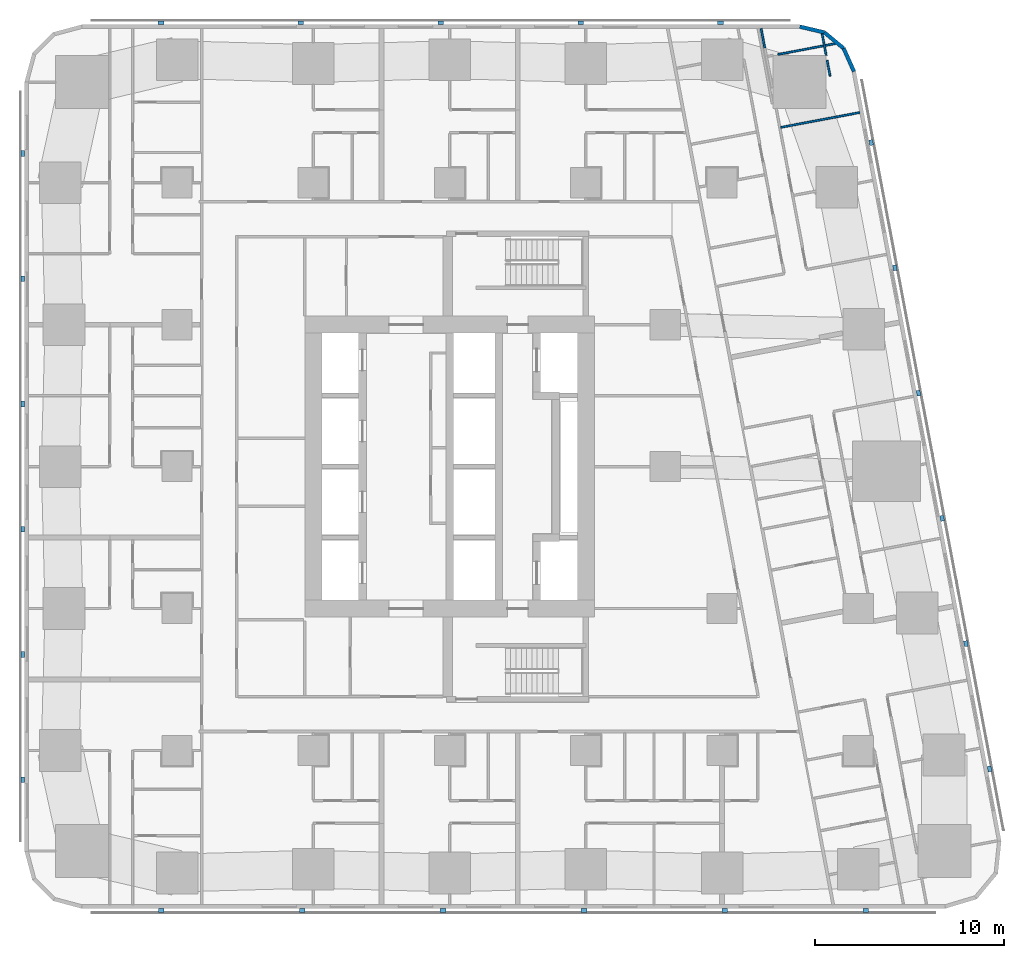
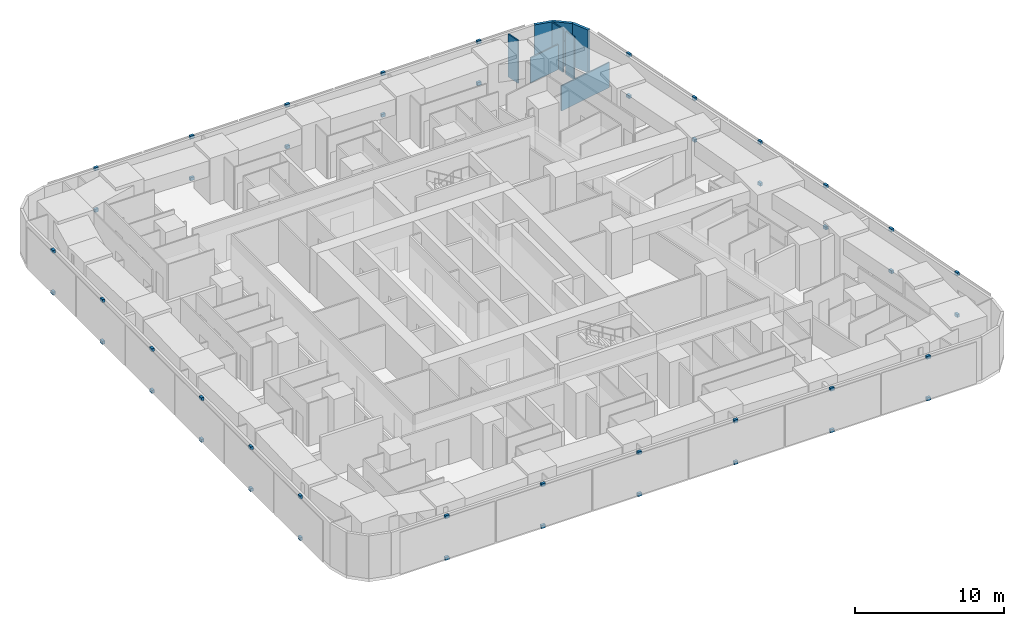
# One storey, part 12 of 16: 46 discrete accessories, 8 walls.
"""IFC4 building model written with IfcOpenShell, lengths in metres."""

from ifc_helpers import new_model, si_unit, direction, frame, frame_2d, origin, origin_2d, place, context, subcontext, project, spatial, rectangle, extrude, material, layer, layer_set, type_object, element, save


model = new_model("IFC4")

# Units and contexts
model_context = context("Model", 3, precision=1e-05, world=origin(), true_north=direction((0.0, 1.0)))
body_context = subcontext(model_context, "Body", "Model", "MODEL_VIEW")
ifc_project = project(units=[si_unit("LENGTHUNIT", "METRE"), si_unit("AREAUNIT", "SQUARE_METRE"), si_unit("VOLUMEUNIT", "CUBIC_METRE"), si_unit("PLANEANGLEUNIT", "RADIAN"), si_unit("MASSUNIT", "GRAM", prefix="KILO")], contexts=[model_context])

# Site, building, storey
site_placement = place(None, origin())
site = spatial("IfcSite", under=ifc_project, at=site_placement, CompositionType="ELEMENT")
building_placement = place(site_placement, origin())
building = spatial("IfcBuilding", under=site, at=building_placement, Name="Sheger Commons Tower", CompositionType="ELEMENT")
storey_placement = place(building_placement, frame((0.0, 0.0, 89.14990234375)))
storey = spatial("IfcBuildingStorey", under=building, at=storey_placement, Name="L22", CompositionType="ELEMENT", Elevation=89.14990234375)

# Walls
ifc_material_1 = material(Name="Rendered concrete block masonry, dark grey", Category="masonry")
ifc_layer_1 = layer(ifc_material_1, 0.199951171875)
ifc_layer_set_1 = layer_set([ifc_layer_1], Name="FACADE WALL 200")
wall_type_1 = type_object("IfcWallType", Name="FACADE WALL 200", PredefinedType="SOLIDWALL", material=ifc_layer_set_1)
wall_1_placement = place(storey_placement, frame((42.969970703125, 43.376953125, 0.0), z_axis=(0.0, 0.0, 1.0), x_axis=(-0.406002956633, 0.913871762998, 0.0)))
element("IfcWall", 1, at=wall_1_placement, inside=storey, type_object=wall_type_1, Name="Facade wall L22", PredefinedType="SOLIDWALL", context=body_context, shape_type="SweptSolid", body=[
    extrude(rectangle(XDim=1.33740234375, YDim=0.199951171875, at=frame_2d((0.668701171875, 0.0))), origin(), (0.0, 0.0, 1.0), 3.5),
])
wall_2_placement = place(storey_placement, frame((42.427001953125, 44.59912109375, 0.0), z_axis=(0.0, 0.0, 1.0), x_axis=(-0.770091412544, 0.637933551655, 0.0)))
element("IfcWall", 2, at=wall_2_placement, inside=storey, type_object=wall_type_1, Name="Facade wall L22", PredefinedType="SOLIDWALL", context=body_context, shape_type="SweptSolid", body=[
    extrude(rectangle(XDim=1.324462890625, YDim=0.199951171875, at=frame_2d((0.662109375, 0.0))), origin(), (0.0, 0.0, 1.0), 3.5),
])
wall_3_placement = place(storey_placement, frame((41.406982421875, 45.444091796875, 0.0), z_axis=(0.0, 0.0, 1.0), x_axis=(-0.973453091607, 0.228886606077, 0.0)))
element("IfcWall", 3, at=wall_3_placement, inside=storey, type_object=wall_type_1, Name="Facade wall L22", PredefinedType="SOLIDWALL", context=body_context, shape_type="SweptSolid", body=[
    extrude(rectangle(XDim=1.33642578125, YDim=0.199951171875, at=frame_2d((0.668212890625, 0.0))), origin(), (0.0, 0.0, 1.0), 3.5),
])
ifc_material_2 = material(Name="Gypsum board on steel studs", Category="steel")
ifc_layer_2 = layer(ifc_material_2, 0.10009765625)
ifc_layer_set_2 = layer_set([ifc_layer_2], Name="PARTITION 100")
wall_type_2 = type_object("IfcWallType", Name="PARTITION 100", PredefinedType="PARTITIONING", material=ifc_layer_set_2)
wall_4_placement = place(storey_placement, frame((41.287109375, 45.3701171875, 0.0), z_axis=(0.0, 0.0, 1.0), x_axis=(0.185121628323, -0.982715616405, 0.0)))
element("IfcWall", 4, at=wall_4_placement, inside=storey, type_object=wall_type_2, Name="Partition L22", PredefinedType="PARTITIONING", context=body_context, shape_type="SweptSolid", body=[
    extrude(rectangle(XDim=1.14990234375, YDim=0.10009765625, at=frame_2d((0.574951171875, 0.0))), origin(), (0.0, 0.0, 1.0), 3.5),
])
wall_5_placement = place(storey_placement, frame((41.551025390625, 43.968994140625, 0.0), z_axis=(0.0, 0.0, 1.0), x_axis=(0.185884171512, -0.982571663942, 0.0)))
element("IfcWall", 5, at=wall_5_placement, inside=storey, type_object=wall_type_2, Name="Partition L22", PredefinedType="PARTITIONING", context=body_context, shape_type="SweptSolid", body=[
    extrude(rectangle(XDim=0.849853515625, YDim=0.10009765625, at=frame_2d((0.4248046875, 0.0))), origin(), (0.0, 0.0, 1.0), 3.5),
])
wall_6_placement = place(storey_placement, frame((38.06298828125, 45.64990234375, 0.0), z_axis=(0.0, 0.0, 1.0), x_axis=(0.185677287841, -0.982610779902, 0.0)))
element("IfcWall", 6, at=wall_6_placement, inside=storey, type_object=wall_type_2, Name="Partition L22", PredefinedType="PARTITIONING", context=body_context, shape_type="SweptSolid", body=[
    extrude(rectangle(XDim=1.0400390625, YDim=0.10009765625, at=frame_2d((0.52001953125, 0.0))), origin(), (0.0, 0.0, 1.0), 3.5),
])
wall_7_placement = place(storey_placement, frame((41.968017578125, 44.85009765625, 0.0), z_axis=(0.0, 0.0, 1.0), x_axis=(-0.982566714195, -0.185910333644, 0.0)))
element("IfcWall", 7, at=wall_7_placement, inside=storey, type_object=wall_type_2, Name="Partition L22", PredefinedType="PARTITIONING", context=body_context, shape_type="SweptSolid", body=[
    extrude(rectangle(XDim=3.071533203125, YDim=0.10009765625, at=frame_2d((1.53564453125, 0.0))), origin(), (0.0, 0.0, 1.0), 2.050048828125),
])
wall_8_placement = place(storey_placement, frame((43.277099609375, 41.2119140625, 0.0), z_axis=(0.0, 0.0, 1.0), x_axis=(-0.982665405803, -0.185387972203, 0.0)))
element("IfcWall", 8, at=wall_8_placement, inside=storey, type_object=wall_type_2, Name="Partition L22", PredefinedType="PARTITIONING", context=body_context, shape_type="SweptSolid", body=[
    extrude(rectangle(XDim=4.249755859375, YDim=0.10009765625, at=frame_2d((2.125, 0.0))), origin(), (0.0, 0.0, 1.0), 2.050048828125),
])

# Discrete accessories
ifc_material_3 = material(Name="Black painted steel bracket", Category="steel")
discrete_accessory_type = type_object("IfcDiscreteAccessoryType", Name="SCREEN BRACKET 300x200x250", PredefinedType="BRACKET", material=ifc_material_3)
for number, where, z_axis, x_axis, name in (
    (9, (6.37109375, -0.949951171875, -0.099853515625), (0.0, 0.0, 1.0), (1.0, 0.0, 0.0), "Solar screen foot bracket"),
    (10, (6.37109375, -0.949951171875, 3.300048828125), (0.0, 0.0, 1.0), (1.0, 0.0, 0.0), "Solar screen head bracket"),
    (11, (13.81396484375, -0.949951171875, -0.099853515625), (0.0, 0.0, 1.0), (1.0, 0.0, 0.0), "Solar screen foot bracket"),
    (12, (13.81396484375, -0.949951171875, 3.300048828125), (0.0, 0.0, 1.0), (1.0, 0.0, 0.0), "Solar screen head bracket"),
    (13, (21.257080078125, -0.949951171875, -0.099853515625), (0.0, 0.0, 1.0), (1.0, 0.0, 0.0), "Solar screen foot bracket"),
    (14, (21.257080078125, -0.949951171875, 3.300048828125), (0.0, 0.0, 1.0), (1.0, 0.0, 0.0), "Solar screen head bracket"),
    (15, (28.698974609375, -0.949951171875, -0.099853515625), (0.0, 0.0, 1.0), (1.0, 0.0, 0.0), "Solar screen foot bracket"),
    (16, (28.698974609375, -0.949951171875, 3.300048828125), (0.0, 0.0, 1.0), (1.0, 0.0, 0.0), "Solar screen head bracket"),
    (17, (36.14208984375, -0.949951171875, -0.099853515625), (0.0, 0.0, 1.0), (1.0, 0.0, 0.0), "Solar screen foot bracket"),
    (18, (36.14208984375, -0.949951171875, 3.300048828125), (0.0, 0.0, 1.0), (1.0, 0.0, 0.0), "Solar screen head bracket"),
    (19, (43.5849609375, -0.949951171875, -0.099853515625), (0.0, 0.0, 1.0), (1.0, 0.0, 0.0), "Solar screen foot bracket"),
    (20, (43.5849609375, -0.949951171875, 3.300048828125), (0.0, 0.0, 1.0), (1.0, 0.0, 0.0), "Solar screen head bracket"),
    (21, (50.134033203125, 6.527099609375, -0.099853515625), (0.0, 0.0, 1.0), (-0.185615165645, 0.982622516678, 0.0), "Solar screen foot bracket"),
    (22, (50.134033203125, 6.527099609375, 3.300048828125), (0.0, 0.0, 1.0), (-0.185615165645, 0.982622516678, 0.0), "Solar screen head bracket"),
    (23, (48.884033203125, 13.14599609375, -0.099853515625), (0.0, 0.0, 1.0), (-0.185615165645, 0.982622516678, 0.0), "Solar screen foot bracket"),
    (24, (48.884033203125, 13.14599609375, 3.300048828125), (0.0, 0.0, 1.0), (-0.185615165645, 0.982622516678, 0.0), "Solar screen head bracket"),
    (25, (47.633056640625, 19.76611328125, -0.099853515625), (0.0, 0.0, 1.0), (-0.185615165645, 0.982622516678, 0.0), "Solar screen foot bracket"),
    (26, (47.633056640625, 19.76611328125, 3.300048828125), (0.0, 0.0, 1.0), (-0.185615165645, 0.982622516678, 0.0), "Solar screen head bracket"),
    (27, (46.383056640625, 26.385009765625, -0.099853515625), (0.0, 0.0, 1.0), (-0.185615165645, 0.982622516678, 0.0), "Solar screen foot bracket"),
    (28, (46.383056640625, 26.385009765625, 3.300048828125), (0.0, 0.0, 1.0), (-0.185615165645, 0.982622516678, 0.0), "Solar screen head bracket"),
    (29, (45.133056640625, 33.0048828125, -0.099853515625), (0.0, 0.0, 1.0), (-0.185615165645, 0.982622516678, 0.0), "Solar screen foot bracket"),
    (30, (45.133056640625, 33.0048828125, 3.300048828125), (0.0, 0.0, 1.0), (-0.185615165645, 0.982622516678, 0.0), "Solar screen head bracket"),
    (31, (43.882080078125, 39.6240234375, -0.099853515625), (0.0, 0.0, 1.0), (-0.185615165645, 0.982622516678, 0.0), "Solar screen foot bracket"),
    (32, (43.882080078125, 39.6240234375, 3.300048828125), (0.0, 0.0, 1.0), (-0.185615165645, 0.982622516678, 0.0), "Solar screen head bracket"),
    (33, (35.9208984375, 45.949951171875, -0.099853515625), (0.0, 0.0, 1.0), (-1.0, 0.0, 0.0), "Solar screen foot bracket"),
    (34, (35.9208984375, 45.949951171875, 3.300048828125), (0.0, 0.0, 1.0), (-1.0, 0.0, 0.0), "Solar screen head bracket"),
    (35, (28.528076171875, 45.949951171875, -0.099853515625), (0.0, 0.0, 1.0), (-1.0, 0.0, 0.0), "Solar screen foot bracket"),
    (36, (28.528076171875, 45.949951171875, 3.300048828125), (0.0, 0.0, 1.0), (-1.0, 0.0, 0.0), "Solar screen head bracket"),
    (37, (21.134033203125, 45.949951171875, -0.099853515625), (0.0, 0.0, 1.0), (-1.0, 0.0, 0.0), "Solar screen foot bracket"),
    (38, (21.134033203125, 45.949951171875, 3.300048828125), (0.0, 0.0, 1.0), (-1.0, 0.0, 0.0), "Solar screen head bracket"),
    (39, (13.739990234375, 45.949951171875, -0.099853515625), (0.0, 0.0, 1.0), (-1.0, 0.0, 0.0), "Solar screen foot bracket"),
    (40, (13.739990234375, 45.949951171875, 3.300048828125), (0.0, 0.0, 1.0), (-1.0, 0.0, 0.0), "Solar screen head bracket"),
    (41, (6.346923828125, 45.949951171875, -0.099853515625), (0.0, 0.0, 1.0), (-1.0, 0.0, 0.0), "Solar screen foot bracket"),
    (42, (6.346923828125, 45.949951171875, 3.300048828125), (0.0, 0.0, 1.0), (-1.0, 0.0, 0.0), "Solar screen head bracket"),
    (43, (-0.949951171875, 39.0419921875, -0.099853515625), (0.0, 0.0, 1.0), (0.0, -1.0, 0.0), "Solar screen foot bracket"),
    (44, (-0.949951171875, 39.0419921875, 3.300048828125), (0.0, 0.0, 1.0), (0.0, -1.0, 0.0), "Solar screen head bracket"),
    (45, (-0.949951171875, 32.425048828125, -0.099853515625), (0.0, 0.0, 1.0), (0.0, -1.0, 0.0), "Solar screen foot bracket"),
    (46, (-0.949951171875, 32.425048828125, 3.300048828125), (0.0, 0.0, 1.0), (0.0, -1.0, 0.0), "Solar screen head bracket"),
    (47, (-0.949951171875, 25.80810546875, -0.099853515625), (0.0, 0.0, 1.0), (0.0, -1.0, 0.0), "Solar screen foot bracket"),
    (48, (-0.949951171875, 25.80810546875, 3.300048828125), (0.0, 0.0, 1.0), (0.0, -1.0, 0.0), "Solar screen head bracket"),
    (49, (-0.949951171875, 19.19189453125, -0.099853515625), (0.0, 0.0, 1.0), (0.0, -1.0, 0.0), "Solar screen foot bracket"),
    (50, (-0.949951171875, 19.19189453125, 3.300048828125), (0.0, 0.0, 1.0), (0.0, -1.0, 0.0), "Solar screen head bracket"),
    (51, (-0.949951171875, 12.574951171875, -0.099853515625), (0.0, 0.0, 1.0), (0.0, -1.0, 0.0), "Solar screen foot bracket"),
    (52, (-0.949951171875, 12.574951171875, 3.300048828125), (0.0, 0.0, 1.0), (0.0, -1.0, 0.0), "Solar screen head bracket"),
    (53, (-0.949951171875, 5.9580078125, -0.099853515625), (0.0, 0.0, 1.0), (0.0, -1.0, 0.0), "Solar screen foot bracket"),
    (54, (-0.949951171875, 5.9580078125, 3.300048828125), (0.0, 0.0, 1.0), (0.0, -1.0, 0.0), "Solar screen head bracket"),
):
    element("IfcDiscreteAccessory", number, at=place(storey_placement, frame(where, z_axis=z_axis, x_axis=x_axis)), inside=storey, type_object=discrete_accessory_type, Name=name, PredefinedType="BRACKET", context=body_context, shape_type="SweptSolid", body=[
        extrude(rectangle(XDim=0.300048828125, YDim=0.199951171875, at=origin_2d()), origin(), (0.0, 0.0, 1.0), 0.25),
    ])

save(model, "model.ifc")
